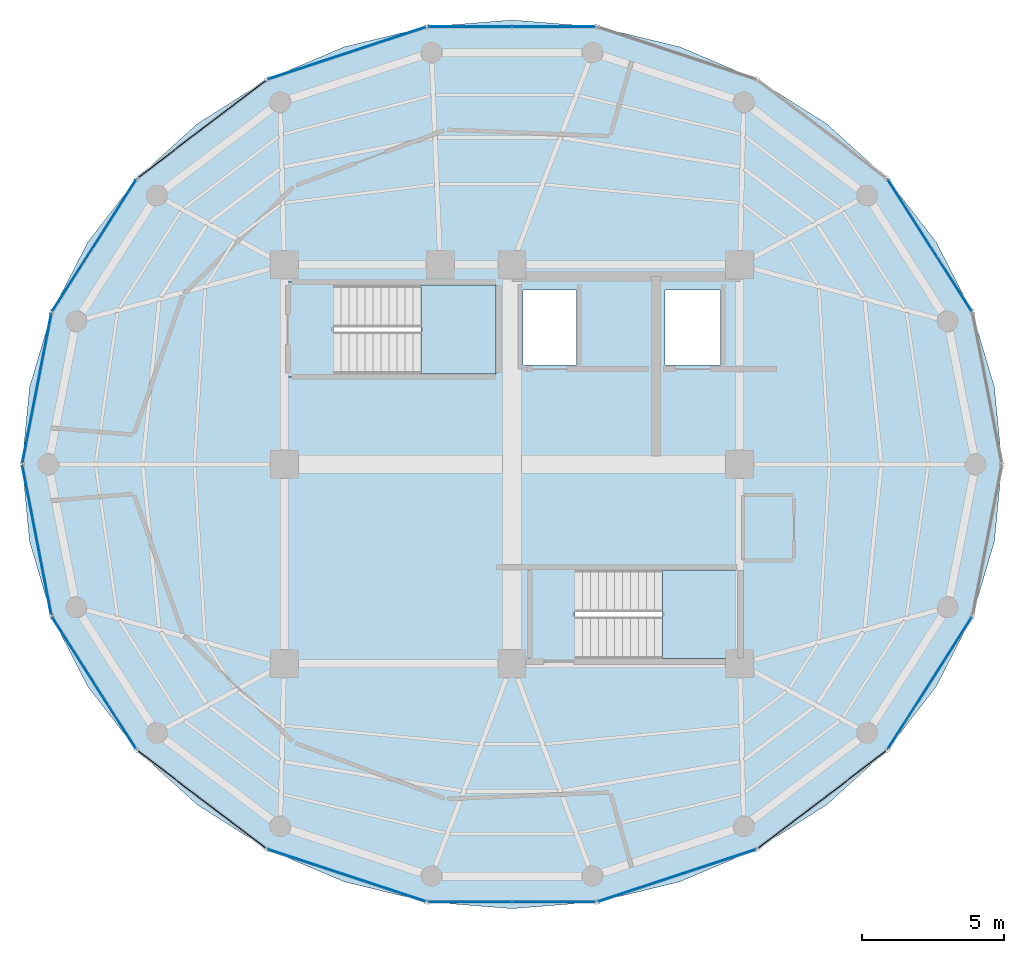
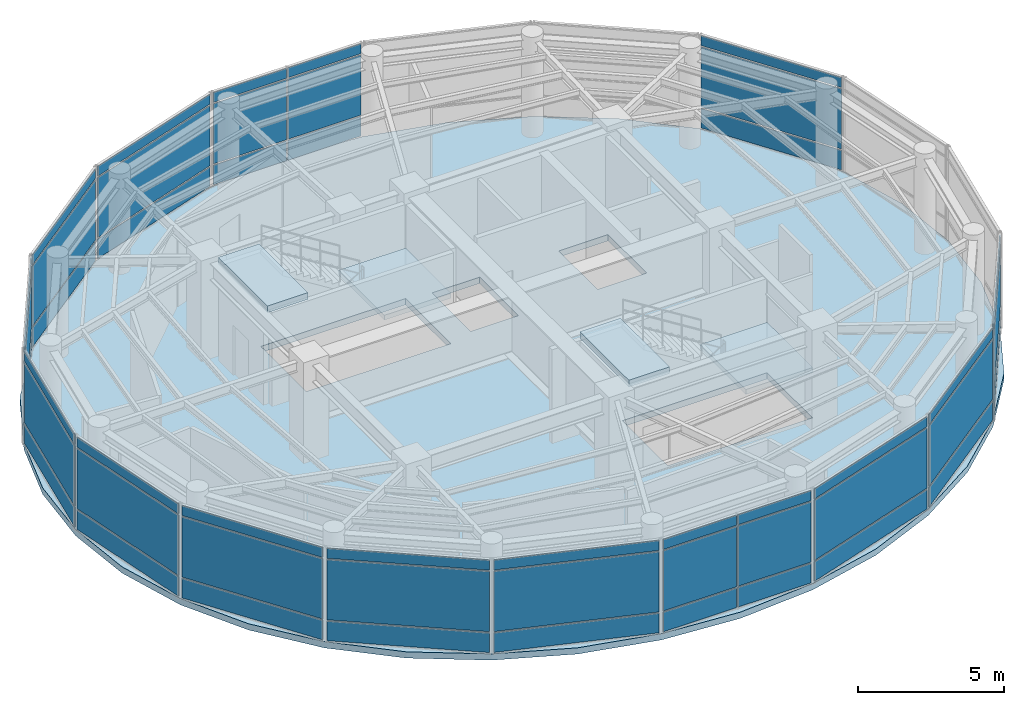
# One storey, part 16 of 19: 48 plates, 5 slabs, 16 elements without a shape of their own.
"""IFC4 building model written with IfcOpenShell, lengths in metres."""

import ifcopenshell
import ifcopenshell.guid

model = None  # the IFC model being written
_history = None  # IfcOwnerHistory: only IFC2X3 demands one
_inside = {}  # id of a spatial element -> (the spatial element, [elements in it])
_under = {}  # id of a project, library or spatial element -> (it, [spatial elements below it])
_declared = {}  # id of a project -> (the project, [libraries it declares])
_typed = {}  # id of a type object -> (the type object, [elements of that type])
_made_of = {}  # id of a material, layer set ... -> (it, [elements and type objects made of it])


def new_model(schema):
    """Start an empty IFC model of exactly this schema.

    Asked for "IFC4X3", IfcOpenShell would pick the latest addendum, in which some entities
    have other attributes; the version numbers below select the first issue.
    IFC2X3 requires an IfcOwnerHistory on every rooted entity: one is made here for all.
    """
    global model, _history
    if schema == "IFC4X3":
        model = ifcopenshell.file(schema_version=(4, 3, 0, 0))
    else:
        model = ifcopenshell.file(schema=schema)
    _inside.clear()
    _under.clear()
    _declared.clear()
    _typed.clear()
    _made_of.clear()
    _history = None
    if model.schema == "IFC2X3":
        org = make("IfcOrganization", Name="unknown")
        user = make(
            "IfcPersonAndOrganization",
            ThePerson=make("IfcPerson", FamilyName="unknown"),
            TheOrganization=org,
        )
        app = make(
            "IfcApplication",
            ApplicationDeveloper=org,
            Version="unknown",
            ApplicationFullName="unknown",
            ApplicationIdentifier="unknown",
        )
        _history = make(
            "IfcOwnerHistory",
            OwningUser=user,
            OwningApplication=app,
            ChangeAction="ADDED",
            CreationDate=0,
        )
    return model


def make(cls, **values):
    """One entity of the class cls with the attributes given. An attribute that is None is left unset."""
    return model.create_entity(
        cls, **{name: value for name, value in values.items() if value is not None}
    )


def rooted(cls, **values):
    """An entity with a GlobalId (a new one), such as an element, a storey or a relation."""
    return make(cls, GlobalId=ifcopenshell.guid.new(), OwnerHistory=_history, **values)


def si_unit(unit_type, name, prefix=None):
    """IfcSIUnit, for example si_unit("LENGTHUNIT", "METRE", prefix="MILLI")."""
    return make("IfcSIUnit", UnitType=unit_type, Prefix=prefix, Name=name)


def assignment(units):
    """IfcUnitAssignment: the units of a project."""
    return None if units is None else make("IfcUnitAssignment", Units=units)


def point(xyz):
    """IfcCartesianPoint."""
    return None if xyz is None else make("IfcCartesianPoint", Coordinates=xyz)


def direction(xyz):
    """IfcDirection."""
    return None if xyz is None else make("IfcDirection", DirectionRatios=xyz)


def frame(location, z_axis=None, x_axis=None):
    """IfcAxis2Placement3D, a coordinate frame: its origin and axes. An axis left out is left unset."""
    return make(
        "IfcAxis2Placement3D",
        Location=point(location),
        Axis=direction(z_axis),
        RefDirection=direction(x_axis),
    )


def frame_2d(location, x_axis=None):
    """IfcAxis2Placement2D, a coordinate frame in the plane: its origin and x axis."""
    return make(
        "IfcAxis2Placement2D", Location=point(location), RefDirection=direction(x_axis)
    )


def origin():
    """The frame at (0, 0, 0) with its axes left unset."""
    return frame((0.0, 0.0, 0.0))


def origin_2d():
    """The frame at (0, 0) in the plane with its x axis left unset."""
    return frame_2d((0.0, 0.0))


def place(relative_to, where):
    """IfcLocalPlacement: puts the frame where relative to a parent placement (None: the world)."""
    return make(
        "IfcLocalPlacement", PlacementRelTo=relative_to, RelativePlacement=where
    )


def context(
    kind, dimensions, precision=None, world=None, true_north=None, identifier=None
):
    """IfcGeometricRepresentationContext, for example the 3D "Model" context."""
    return make(
        "IfcGeometricRepresentationContext",
        ContextIdentifier=identifier,
        ContextType=kind,
        CoordinateSpaceDimension=dimensions,
        Precision=precision,
        WorldCoordinateSystem=world,
        TrueNorth=true_north,
    )


def subcontext(parent, identifier, kind, view, scale=None):
    """IfcGeometricRepresentationSubContext, for example "Body" below "Model"."""
    return make(
        "IfcGeometricRepresentationSubContext",
        ContextIdentifier=identifier,
        ContextType=kind,
        ParentContext=parent,
        TargetScale=scale,
        TargetView=view,
    )


def project(units=None, contexts=None):
    """IfcProject with its units and contexts."""
    return rooted(
        "IfcProject",
        Name="project",
        RepresentationContexts=contexts,
        UnitsInContext=assignment(units),
    )


def spatial(cls, under=None, at=None, **own):
    """A site, building, storey or space (cls), placed at a placement, below another one or the project."""
    s = rooted(cls, ObjectPlacement=at, **own)
    if under is not None:
        _under.setdefault(under.id(), (under, []))[1].append(s)
    return s


def polyline(points):
    """IfcPolyline through the points."""
    return make("IfcPolyline", Points=[point(p) for p in points])


def profile(cls, at=None, kind="AREA", **sizes):
    """A parametric profile (cls). Its sizes go by their IFC names, for example OverallWidth=200.0."""
    return make(cls, ProfileType=kind, Position=at, **sizes)


def rectangle(**sizes):
    """IfcRectangleProfileDef."""
    return profile("IfcRectangleProfileDef", **sizes)


def outline(outer, holes=None, kind="AREA"):
    """IfcArbitraryClosedProfileDef: a profile drawn as a closed curve; with holes, ...WithVoids."""
    if holes is None:
        return make("IfcArbitraryClosedProfileDef", ProfileType=kind, OuterCurve=outer)
    return make(
        "IfcArbitraryProfileDefWithVoids",
        ProfileType=kind,
        OuterCurve=outer,
        InnerCurves=holes,
    )


def extrude(swept, where, along, depth):
    """IfcExtrudedAreaSolid: the profile swept, set in the frame where, extruded along a direction by depth."""
    return make(
        "IfcExtrudedAreaSolid",
        SweptArea=swept,
        Position=where,
        ExtrudedDirection=direction(along),
        Depth=depth,
    )


def shape(context_of_items, identifier, shape_type, items):
    """IfcShapeRepresentation: the items that make up one representation, for example the "Body"."""
    return make(
        "IfcShapeRepresentation",
        ContextOfItems=context_of_items,
        RepresentationIdentifier=identifier,
        RepresentationType=shape_type,
        Items=items,
    )


def source(mapping_origin, context_of_items, identifier, shape_type, items):
    """IfcRepresentationMap: a shape defined once, which mapped items show again and again."""
    return make(
        "IfcRepresentationMap",
        MappingOrigin=mapping_origin,
        MappedRepresentation=shape(context_of_items, identifier, shape_type, items),
    )


def transform(
    local_origin,
    x_axis=None,
    y_axis=None,
    z_axis=None,
    scale=None,
    scale2=None,
    scale3=None,
    uniform=True,
):
    """IfcCartesianTransformationOperator3D, or its non-uniform kind. x_axis, y_axis, z_axis: its Axis1, 2, 3."""
    if uniform:
        return make(
            "IfcCartesianTransformationOperator3D",
            Axis1=direction(x_axis),
            Axis2=direction(y_axis),
            LocalOrigin=point(local_origin),
            Scale=scale,
            Axis3=direction(z_axis),
        )
    return make(
        "IfcCartesianTransformationOperator3DnonUniform",
        Axis1=direction(x_axis),
        Axis2=direction(y_axis),
        LocalOrigin=point(local_origin),
        Scale=scale,
        Axis3=direction(z_axis),
        Scale2=scale2,
        Scale3=scale3,
    )


def mapped(mapping_source, mapping_target):
    """IfcMappedItem: shows the shape of a source again, moved by a transform."""
    return make(
        "IfcMappedItem", MappingSource=mapping_source, MappingTarget=mapping_target
    )


def material(Name=None, Category=None):
    """IfcMaterial."""
    return make("IfcMaterial", Name=Name, Category=Category)


def layer(
    of_material, thickness, ventilated=None, Name=None, Category=None, Priority=None
):
    """IfcMaterialLayer: one layer of a wall or slab, of a material (None: an air gap)."""
    return make(
        "IfcMaterialLayer",
        Material=of_material,
        LayerThickness=thickness,
        IsVentilated=ventilated,
        Name=Name,
        Category=Category,
        Priority=Priority,
    )


def layer_set(layers, Name=None):
    """IfcMaterialLayerSet."""
    return make("IfcMaterialLayerSet", MaterialLayers=layers, LayerSetName=Name)


def made_of(thing, what):
    """Note that an element or type object is made of a material, layer set ...; save() writes the relation."""
    if what is not None:
        _made_of.setdefault(what.id(), (what, []))[1].append(thing)
    return thing


def type_object(cls, material=None, **own):
    """A type object (cls), such as IfcWallType, which elements share."""
    return made_of(rooted(cls, **own), material)


def element(
    cls,
    number,
    at=None,
    inside=None,
    cuts=None,
    type_object=None,
    material=None,
    context=None,
    identifier="Body",
    shape_type=None,
    held_by="IfcProductDefinitionShape",
    body=None,
    shapes=None,
    **own,
):
    """One element of the class cls, such as IfcWall. Its Tag is "e" and its number.

    at: its placement. inside: the storey or other place that contains it. cuts: it is an
    opening in that element (IfcRelVoidsElement). A single representation is given by context,
    identifier, shape_type and body (its items); several are given by shapes. held_by: the class
    of the entity that holds the representations. save() writes the other relations.
    """
    e = rooted(cls, Tag="e%d" % number, ObjectPlacement=at, **own)
    if body is not None:
        shapes = [shape(context, identifier, shape_type, body)]
    if shapes is not None:
        e.Representation = make(held_by, Representations=shapes)
    if inside is not None:
        _inside.setdefault(inside.id(), (inside, []))[1].append(e)
    if cuts is not None:
        rooted(
            "IfcRelVoidsElement", RelatingBuildingElement=cuts, RelatedOpeningElement=e
        )
    if type_object is not None:
        _typed.setdefault(type_object.id(), (type_object, []))[1].append(e)
    return made_of(e, material)


def aggregate(whole, parts):
    """IfcRelAggregates: a whole, such as a stair, and the parts it consists of."""
    return rooted("IfcRelAggregates", RelatingObject=whole, RelatedObjects=parts)


def save(model, path):
    """Write the relations noted so far, then the file.

    IfcRelAggregates (storeys below a building ...), IfcRelContainedInSpatialStructure (elements
    in a storey), IfcRelDefinesByType, IfcRelAssociatesMaterial and IfcRelDeclares: one each for
    every whole, place, type object, material and project.
    """
    for whole, parts in _under.values():
        aggregate(whole, parts)
    for where, things in _inside.values():
        rooted(
            "IfcRelContainedInSpatialStructure",
            RelatedElements=things,
            RelatingStructure=where,
        )
    for kind, things in _typed.values():
        rooted("IfcRelDefinesByType", RelatedObjects=things, RelatingType=kind)
    for what, things in _made_of.values():
        rooted("IfcRelAssociatesMaterial", RelatedObjects=things, RelatingMaterial=what)
    for by, libraries in _declared.values():
        rooted("IfcRelDeclares", RelatingContext=by, RelatedDefinitions=libraries)
    model.write(path)


model = new_model("IFC4")

# Units and contexts
model_context = context("Model", 3, precision=1e-05, world=origin(), true_north=direction((0.0, 1.0)))
body_context = subcontext(model_context, "Body", "Model", "MODEL_VIEW")
ifc_project = project(units=[si_unit("LENGTHUNIT", "METRE"), si_unit("AREAUNIT", "SQUARE_METRE"), si_unit("VOLUMEUNIT", "CUBIC_METRE"), si_unit("PLANEANGLEUNIT", "RADIAN"), si_unit("MASSUNIT", "GRAM", prefix="KILO")], contexts=[model_context])

# Site, building, storey
site_placement = place(None, origin())
site = spatial("IfcSite", under=ifc_project, at=site_placement, CompositionType="ELEMENT")
building_placement = place(site_placement, origin())
building = spatial("IfcBuilding", under=site, at=building_placement, Name="Kelanora Arch Commons", CompositionType="ELEMENT")
storey_placement = place(building_placement, frame((0.0, 0.0, 306.89990234375)))
storey = spatial("IfcBuildingStorey", under=building, at=storey_placement, Name="L78", CompositionType="ELEMENT", Elevation=306.89990234375)

# Stair, slab
ifc_material_1 = material(Name="Concrete C40/50", Category="concrete")
stair_type = type_object("IfcStairType", Name="STR-DL-420", PredefinedType="HALF_TURN_STAIR", material=ifc_material_1)
stair_1_placement = place(storey_placement, origin())
stair_1 = element("IfcStair", 1, at=stair_1_placement, inside=storey, type_object=stair_type, Name="L78 ST-T1", PredefinedType="HALF_TURN_STAIR")
ifc_layer_1 = layer(ifc_material_1, 0.199951171875)
ifc_layer_set_1 = layer_set([ifc_layer_1], Name="Concrete C40/50")
slab_type_1 = type_object("IfcSlabType", Name="SLB-STAIR-LND", PredefinedType="LANDING", material=ifc_layer_set_1)
slab_1_placement = place(storey_placement, frame((0.0, 0.0, 1.900146484375)))
slab_1 = element("IfcSlab", 2, at=slab_1_placement, type_object=slab_type_1, Name="ST-T1 landing 1", PredefinedType="LANDING", context=body_context, shape_type="SweptSolid", body=[
    extrude(outline(polyline([(70.800048828125, 61.179931640625), (73.43994140625, 61.179931640625), (73.43994140625, 64.2900390625), (70.800048828125, 64.2900390625), (70.800048828125, 61.179931640625)])), origin(), (0.0, 0.0, 1.0), 0.199951171875),
])

stair_2_placement = place(storey_placement, origin())
stair_2 = element("IfcStair", 3, at=stair_2_placement, inside=storey, type_object=stair_type, Name="L78 ST-T2", PredefinedType="HALF_TURN_STAIR")
slab_2_placement = place(storey_placement, frame((0.0, 0.0, 1.900146484375)))
slab_2 = element("IfcSlab", 4, at=slab_2_placement, type_object=slab_type_1, Name="ST-T2 landing 1", PredefinedType="LANDING", context=body_context, shape_type="SweptSolid", body=[
    extrude(outline(polyline([(79.280029296875, 51.179931640625), (81.919921875, 51.179931640625), (81.919921875, 54.2900390625), (79.280029296875, 54.2900390625), (79.280029296875, 51.179931640625)])), origin(), (0.0, 0.0, 1.0), 0.199951171875),
])

# Slab
placement = place(building_placement, frame((0.0, 0.0, 311.10009765625)))
slab_3_placement = place(placement, frame((0.0, 0.0, -0.280029296875)))
slab_3 = element("IfcSlab", 5, at=slab_3_placement, type_object=slab_type_1, Name="Stair ST-T1 Roof Arrival Landing", PredefinedType="LANDING", context=body_context, shape_type="SweptSolid", body=[
    extrude(outline(polyline([(66.1201171875, 61.06005859375), (67.72509765625, 61.06005859375), (67.72509765625, 64.409912109375), (66.1201171875, 64.409912109375), (66.1201171875, 61.06005859375)])), origin(), (0.0, 0.0, 1.0), 0.280029296875),
])

aggregate(stair_1, [slab_1, slab_3])

slab_4_placement = place(placement, frame((0.0, 0.0, -0.280029296875)))
slab_4 = element("IfcSlab", 6, at=slab_4_placement, type_object=slab_type_1, Name="Stair ST-T2 Roof Arrival Landing", PredefinedType="LANDING", context=body_context, shape_type="SweptSolid", body=[
    extrude(outline(polyline([(74.60009765625, 51.06005859375), (76.205078125, 51.06005859375), (76.205078125, 54.409912109375), (74.60009765625, 54.409912109375), (74.60009765625, 51.06005859375)])), origin(), (0.0, 0.0, 1.0), 0.280029296875),
])

aggregate(stair_2, [slab_2, slab_4])

ifc_layer_2 = layer(ifc_material_1, 0.260009765625)
ifc_layer_set_2 = layer_set([ifc_layer_2], Name="Concrete C40/50")
slab_type_2 = type_object("IfcSlabType", Name="SLB-TWR-TYP", PredefinedType="FLOOR", material=ifc_layer_set_2)
slab_5_placement = place(storey_placement, frame((0.0, 0.0, -0.260009765625)))
element("IfcSlab", 7, at=slab_5_placement, inside=storey, type_object=slab_type_2, Name="Tower Floor Slab L78", PredefinedType="FLOOR", context=body_context, shape_type="SweptSolid", body=[
    extrude(outline(polyline([(91.199951171875, 58.0), (90.938720703125, 60.708984375), (90.16259765625, 63.33544921875), (88.8955078125, 65.800048828125), (87.176025390625, 68.027587890625), (85.055908203125, 69.9501953125), (82.60009765625, 71.510009765625), (79.8828125, 72.6591796875), (76.98681640625, 73.363037109375), (74.0, 73.60009765625), (71.01318359375, 73.363037109375), (68.1171875, 72.6591796875), (65.39990234375, 71.510009765625), (62.944091796875, 69.9501953125), (60.823974609375, 68.027587890625), (59.1044921875, 65.800048828125), (57.83740234375, 63.33544921875), (57.061279296875, 60.708984375), (56.800048828125, 58.0), (57.061279296875, 55.291015625), (57.83740234375, 52.66455078125), (59.1044921875, 50.199951171875), (60.823974609375, 47.972412109375), (62.944091796875, 46.0498046875), (65.39990234375, 44.489990234375), (68.1171875, 43.3408203125), (71.01318359375, 42.636962890625), (74.0, 42.39990234375), (76.98681640625, 42.636962890625), (79.8828125, 43.3408203125), (82.60009765625, 44.489990234375), (85.055908203125, 46.0498046875), (87.176025390625, 47.972412109375), (88.8955078125, 50.199951171875), (90.16259765625, 52.66455078125), (90.938720703125, 55.291015625), (91.199951171875, 58.0)]), holes=[polyline([(81.912109375, 51.18798828125), (76.2080078125, 51.18798828125), (76.2080078125, 54.281982421875), (81.912109375, 54.281982421875), (81.912109375, 51.18798828125)]), polyline([(73.431884765625, 61.18798828125), (67.72802734375, 61.18798828125), (67.72802734375, 64.281982421875), (73.431884765625, 64.281982421875), (73.431884765625, 61.18798828125)]), polyline([(76.260009765625, 61.47998046875), (74.3798828125, 61.47998046875), (74.3798828125, 64.1201171875), (76.260009765625, 64.1201171875), (76.260009765625, 61.47998046875)]), polyline([(81.320068359375, 61.47998046875), (79.3798828125, 61.47998046875), (79.3798828125, 64.1201171875), (81.320068359375, 64.1201171875), (81.320068359375, 61.47998046875)])]), origin(), (0.0, 0.0, 1.0), 0.260009765625),
])

# Curtain wall, plate
ifc_material_2 = material(Name="Terracotta ceramic-fritted low-E glass and aluminium", Category="masonry")
ifc_layer_3 = layer(ifc_material_2, 0.14990234375)
ifc_layer_set_3 = layer_set([ifc_layer_3], Name="Terracotta ceramic-fritted low-E glass and aluminium")
curtain_wall_type = type_object("IfcCurtainWallType", Name="CW-SYS-06", PredefinedType="NOTDEFINED", material=ifc_layer_set_3)
curtain_wall_1_placement = place(storey_placement, origin())
curtain_wall_1 = element("IfcCurtainWall", 8, at=curtain_wall_1_placement, inside=storey, type_object=curtain_wall_type, Name="Unitised Curtain Wall L78-B08", PredefinedType="NOTDEFINED")
ifc_material_3 = material(Name="Terracotta ceramic-fritted double glazing", Category="masonry")
ifc_layer_4 = layer(ifc_material_3, 0.028076171875)
ifc_layer_set_4 = layer_set([ifc_layer_4], Name="Terracotta ceramic-fritted double glazing")
plate_type = type_object("IfcPlateType", Name="CWP-FRIT", PredefinedType="CURTAIN_PANEL", material=ifc_layer_set_4)
shared_shape_1 = source(origin(), body_context, "Body", "SweptSolid", [
    extrude(rectangle(XDim=5.285400390625, YDim=0.028076171875, at=origin_2d()), origin(), (0.0, 0.0, 1.0), 0.81005859375),
])
plate_1_placement = place(storey_placement, frame((57.318603515625, 60.667724609375, 0.06005859375), z_axis=(0.0, 0.0, 1.0), x_axis=(-0.190826579571, -0.981623765263, 0.0)))
plate_1 = element("IfcPlate", 9, at=plate_1_placement, type_object=plate_type, Name="CW-06 panel 1.1", PredefinedType="CURTAIN_PANEL", context=body_context, shape_type="MappedRepresentation", body=[
    mapped(shared_shape_1, transform((0.0, 0.0, 0.0), scale=1.0)),
])

curtain_wall_2_placement = place(storey_placement, origin())
curtain_wall_2 = element("IfcCurtainWall", 10, at=curtain_wall_2_placement, inside=storey, type_object=curtain_wall_type, Name="Unitised Curtain Wall L78-B09", PredefinedType="NOTDEFINED")
plate_2_placement = place(storey_placement, frame((57.318603515625, 55.332275390625, 0.06005859375), z_axis=(0.0, 0.0, 1.0), x_axis=(0.190826579571, -0.981623765263, 0.0)))
plate_2 = element("IfcPlate", 11, at=plate_2_placement, type_object=plate_type, Name="CW-06 panel 1.1", PredefinedType="CURTAIN_PANEL", context=body_context, shape_type="MappedRepresentation", body=[
    mapped(shared_shape_1, transform((0.0, 0.0, 0.0), scale=1.0)),
])

# Plate
shared_shape_2 = source(origin(), body_context, "Body", "SweptSolid", [
    extrude(rectangle(XDim=5.285400390625, YDim=0.028076171875, at=origin_2d()), origin(), (0.0, 0.0, 1.0), 0.409912109375),
])
plate_3_placement = place(storey_placement, frame((57.318603515625, 60.667724609375, 3.4951171875), z_axis=(0.0, 0.0, 1.0), x_axis=(-0.190826579571, -0.981623765263, 0.0)))
plate_3 = element("IfcPlate", 12, at=plate_3_placement, type_object=plate_type, Name="CW-06 panel 1.3", PredefinedType="CURTAIN_PANEL", context=body_context, shape_type="MappedRepresentation", body=[
    mapped(shared_shape_2, transform((0.0, 0.0, 0.0), scale=1.0)),
])

plate_4_placement = place(storey_placement, frame((57.318603515625, 55.332275390625, 3.4951171875), z_axis=(0.0, 0.0, 1.0), x_axis=(0.190826579571, -0.981623765263, 0.0)))
plate_4 = element("IfcPlate", 13, at=plate_4_placement, type_object=plate_type, Name="CW-06 panel 1.3", PredefinedType="CURTAIN_PANEL", context=body_context, shape_type="MappedRepresentation", body=[
    mapped(shared_shape_2, transform((0.0, 0.0, 0.0), scale=1.0)),
])

# Curtain wall, plate
curtain_wall_3_placement = place(storey_placement, origin())
curtain_wall_3 = element("IfcCurtainWall", 14, at=curtain_wall_3_placement, inside=storey, type_object=curtain_wall_type, Name="Unitised Curtain Wall L78-B01", PredefinedType="NOTDEFINED")
shared_shape_3 = source(origin(), body_context, "Body", "SweptSolid", [
    extrude(rectangle(XDim=5.411865234375, YDim=0.028076171875, at=origin_2d()), origin(), (0.0, 0.0, 1.0), 0.81005859375),
])
plate_5_placement = place(storey_placement, frame((88.66943359375, 65.681396484375, 0.06005859375), z_axis=(0.0, 0.0, 1.0), x_axis=(-0.536984270154, 0.84359225554, 0.0)))
plate_5 = element("IfcPlate", 15, at=plate_5_placement, type_object=plate_type, Name="CW-06 panel 1.1", PredefinedType="CURTAIN_PANEL", context=body_context, shape_type="MappedRepresentation", body=[
    mapped(shared_shape_3, transform((0.0, 0.0, 0.0), scale=1.0)),
])

curtain_wall_4_placement = place(storey_placement, origin())
curtain_wall_4 = element("IfcCurtainWall", 16, at=curtain_wall_4_placement, inside=storey, type_object=curtain_wall_type, Name="Unitised Curtain Wall L78-B07", PredefinedType="NOTDEFINED")
plate_6_placement = place(storey_placement, frame((59.33056640625, 65.681396484375, 0.06005859375), z_axis=(0.0, 0.0, 1.0), x_axis=(-0.536984270154, -0.84359225554, 0.0)))
plate_6 = element("IfcPlate", 17, at=plate_6_placement, type_object=plate_type, Name="CW-06 panel 1.1", PredefinedType="CURTAIN_PANEL", context=body_context, shape_type="MappedRepresentation", body=[
    mapped(shared_shape_3, transform((0.0, 0.0, 0.0), scale=1.0)),
])

curtain_wall_5_placement = place(storey_placement, origin())
curtain_wall_5 = element("IfcCurtainWall", 18, at=curtain_wall_5_placement, inside=storey, type_object=curtain_wall_type, Name="Unitised Curtain Wall L78-B10", PredefinedType="NOTDEFINED")
plate_7_placement = place(storey_placement, frame((59.33056640625, 50.318603515625, 0.06005859375), z_axis=(0.0, 0.0, 1.0), x_axis=(0.536984270154, -0.84359225554, 0.0)))
plate_7 = element("IfcPlate", 19, at=plate_7_placement, type_object=plate_type, Name="CW-06 panel 1.1", PredefinedType="CURTAIN_PANEL", context=body_context, shape_type="MappedRepresentation", body=[
    mapped(shared_shape_3, transform((0.0, 0.0, 0.0), scale=1.0)),
])

curtain_wall_6_placement = place(storey_placement, origin())
curtain_wall_6 = element("IfcCurtainWall", 20, at=curtain_wall_6_placement, inside=storey, type_object=curtain_wall_type, Name="Unitised Curtain Wall L78-B16", PredefinedType="NOTDEFINED")
plate_8_placement = place(storey_placement, frame((88.66943359375, 50.318603515625, 0.06005859375), z_axis=(0.0, 0.0, 1.0), x_axis=(0.536984270154, 0.84359225554, 0.0)))
plate_8 = element("IfcPlate", 21, at=plate_8_placement, type_object=plate_type, Name="CW-06 panel 1.1", PredefinedType="CURTAIN_PANEL", context=body_context, shape_type="MappedRepresentation", body=[
    mapped(shared_shape_3, transform((0.0, 0.0, 0.0), scale=1.0)),
])

# Plate
shared_shape_4 = source(origin(), body_context, "Body", "SweptSolid", [
    extrude(rectangle(XDim=5.411865234375, YDim=0.028076171875, at=origin_2d()), origin(), (0.0, 0.0, 1.0), 0.409912109375),
])
plate_9_placement = place(storey_placement, frame((88.66943359375, 65.681396484375, 3.4951171875), z_axis=(0.0, 0.0, 1.0), x_axis=(-0.536984270154, 0.84359225554, 0.0)))
plate_9 = element("IfcPlate", 22, at=plate_9_placement, type_object=plate_type, Name="CW-06 panel 1.3", PredefinedType="CURTAIN_PANEL", context=body_context, shape_type="MappedRepresentation", body=[
    mapped(shared_shape_4, transform((0.0, 0.0, 0.0), scale=1.0)),
])

plate_10_placement = place(storey_placement, frame((59.33056640625, 65.681396484375, 3.4951171875), z_axis=(0.0, 0.0, 1.0), x_axis=(-0.536984270154, -0.84359225554, 0.0)))
plate_10 = element("IfcPlate", 23, at=plate_10_placement, type_object=plate_type, Name="CW-06 panel 1.3", PredefinedType="CURTAIN_PANEL", context=body_context, shape_type="MappedRepresentation", body=[
    mapped(shared_shape_4, transform((0.0, 0.0, 0.0), scale=1.0)),
])

plate_11_placement = place(storey_placement, frame((59.33056640625, 50.318603515625, 3.4951171875), z_axis=(0.0, 0.0, 1.0), x_axis=(0.536984270154, -0.84359225554, 0.0)))
plate_11 = element("IfcPlate", 24, at=plate_11_placement, type_object=plate_type, Name="CW-06 panel 1.3", PredefinedType="CURTAIN_PANEL", context=body_context, shape_type="MappedRepresentation", body=[
    mapped(shared_shape_4, transform((0.0, 0.0, 0.0), scale=1.0)),
])

plate_12_placement = place(storey_placement, frame((88.66943359375, 50.318603515625, 3.4951171875), z_axis=(0.0, 0.0, 1.0), x_axis=(0.536984270154, 0.84359225554, 0.0)))
plate_12 = element("IfcPlate", 25, at=plate_12_placement, type_object=plate_type, Name="CW-06 panel 1.3", PredefinedType="CURTAIN_PANEL", context=body_context, shape_type="MappedRepresentation", body=[
    mapped(shared_shape_4, transform((0.0, 0.0, 0.0), scale=1.0)),
])

# Curtain wall, plate
curtain_wall_7_placement = place(storey_placement, origin())
curtain_wall_7 = element("IfcCurtainWall", 26, at=curtain_wall_7_placement, inside=storey, type_object=curtain_wall_type, Name="Unitised Curtain Wall L78-B05", PredefinedType="NOTDEFINED")
shared_shape_5 = source(origin(), body_context, "Body", "SweptSolid", [
    extrude(rectangle(XDim=5.76123046875, YDim=0.028076171875, at=origin_2d()), origin(), (0.0, 0.0, 1.0), 0.81005859375),
])
plate_13_placement = place(storey_placement, frame((68.20654296875, 72.4365234375, 0.06005859375), z_axis=(0.0, 0.0, 1.0), x_axis=(-0.949599145368, -0.313466845323, 0.0)))
plate_13 = element("IfcPlate", 27, at=plate_13_placement, type_object=plate_type, Name="CW-06 panel 1.1", PredefinedType="CURTAIN_PANEL", context=body_context, shape_type="MappedRepresentation", body=[
    mapped(shared_shape_5, transform((0.0, 0.0, 0.0), scale=1.0)),
])

curtain_wall_8_placement = place(storey_placement, origin())
curtain_wall_8 = element("IfcCurtainWall", 28, at=curtain_wall_8_placement, inside=storey, type_object=curtain_wall_type, Name="Unitised Curtain Wall L78-B12", PredefinedType="NOTDEFINED")
plate_14_placement = place(storey_placement, frame((68.20654296875, 43.5634765625, 0.06005859375), z_axis=(0.0, 0.0, 1.0), x_axis=(0.949599145368, -0.313466845323, 0.0)))
plate_14 = element("IfcPlate", 29, at=plate_14_placement, type_object=plate_type, Name="CW-06 panel 1.1", PredefinedType="CURTAIN_PANEL", context=body_context, shape_type="MappedRepresentation", body=[
    mapped(shared_shape_5, transform((0.0, 0.0, 0.0), scale=1.0)),
])

curtain_wall_9_placement = place(storey_placement, origin())
curtain_wall_9 = element("IfcCurtainWall", 30, at=curtain_wall_9_placement, inside=storey, type_object=curtain_wall_type, Name="Unitised Curtain Wall L78-B14", PredefinedType="NOTDEFINED")
plate_15_placement = place(storey_placement, frame((79.79345703125, 43.5634765625, 0.06005859375), z_axis=(0.0, 0.0, 1.0), x_axis=(0.949599145368, 0.313466845323, 0.0)))
plate_15 = element("IfcPlate", 31, at=plate_15_placement, type_object=plate_type, Name="CW-06 panel 1.1", PredefinedType="CURTAIN_PANEL", context=body_context, shape_type="MappedRepresentation", body=[
    mapped(shared_shape_5, transform((0.0, 0.0, 0.0), scale=1.0)),
])

# Plate
shared_shape_6 = source(origin(), body_context, "Body", "SweptSolid", [
    extrude(rectangle(XDim=5.76123046875, YDim=0.028076171875, at=origin_2d()), origin(), (0.0, 0.0, 1.0), 0.409912109375),
])
plate_16_placement = place(storey_placement, frame((68.20654296875, 72.4365234375, 3.4951171875), z_axis=(0.0, 0.0, 1.0), x_axis=(-0.949599145368, -0.313466845323, 0.0)))
plate_16 = element("IfcPlate", 32, at=plate_16_placement, type_object=plate_type, Name="CW-06 panel 1.3", PredefinedType="CURTAIN_PANEL", context=body_context, shape_type="MappedRepresentation", body=[
    mapped(shared_shape_6, transform((0.0, 0.0, 0.0), scale=1.0)),
])

plate_17_placement = place(storey_placement, frame((68.20654296875, 43.5634765625, 3.4951171875), z_axis=(0.0, 0.0, 1.0), x_axis=(0.949599145368, -0.313466845323, 0.0)))
plate_17 = element("IfcPlate", 33, at=plate_17_placement, type_object=plate_type, Name="CW-06 panel 1.3", PredefinedType="CURTAIN_PANEL", context=body_context, shape_type="MappedRepresentation", body=[
    mapped(shared_shape_6, transform((0.0, 0.0, 0.0), scale=1.0)),
])

plate_18_placement = place(storey_placement, frame((79.79345703125, 43.5634765625, 3.4951171875), z_axis=(0.0, 0.0, 1.0), x_axis=(0.949599145368, 0.313466845323, 0.0)))
plate_18 = element("IfcPlate", 34, at=plate_18_placement, type_object=plate_type, Name="CW-06 panel 1.3", PredefinedType="CURTAIN_PANEL", context=body_context, shape_type="MappedRepresentation", body=[
    mapped(shared_shape_6, transform((0.0, 0.0, 0.0), scale=1.0)),
])

# Curtain wall, plates
curtain_wall_10_placement = place(storey_placement, origin())
curtain_wall_10 = element("IfcCurtainWall", 35, at=curtain_wall_10_placement, inside=storey, type_object=curtain_wall_type, Name="Unitised Curtain Wall L78-B04", PredefinedType="NOTDEFINED")
shared_shape_7 = source(origin(), body_context, "Body", "SweptSolid", [
    extrude(rectangle(XDim=2.881591796875, YDim=0.028076171875, at=origin_2d()), origin(), (0.0, 0.0, 1.0), 0.81005859375),
])
plate_19_placement = place(storey_placement, frame((75.470947265625, 73.363037109375, 0.06005859375), z_axis=(0.0, 0.0, 1.0), x_axis=(-1.0, 0.0, 0.0)))
plate_19 = element("IfcPlate", 36, at=plate_19_placement, type_object=plate_type, Name="CW-06 panel 1.1", PredefinedType="CURTAIN_PANEL", context=body_context, shape_type="MappedRepresentation", body=[
    mapped(shared_shape_7, transform((0.0, 0.0, 0.0), scale=1.0)),
])
plate_20_placement = place(storey_placement, frame((72.529052734375, 73.363037109375, 0.06005859375), z_axis=(0.0, 0.0, 1.0), x_axis=(-1.0, 0.0, 0.0)))
plate_20 = element("IfcPlate", 37, at=plate_20_placement, type_object=plate_type, Name="CW-06 panel 2.1", PredefinedType="CURTAIN_PANEL", context=body_context, shape_type="MappedRepresentation", body=[
    mapped(shared_shape_7, transform((0.0, 0.0, 0.0), scale=1.0)),
])

curtain_wall_11_placement = place(storey_placement, origin())
curtain_wall_11 = element("IfcCurtainWall", 38, at=curtain_wall_11_placement, inside=storey, type_object=curtain_wall_type, Name="Unitised Curtain Wall L78-B13", PredefinedType="NOTDEFINED")
plate_21_placement = place(storey_placement, frame((72.529052734375, 42.636962890625, 0.06005859375), z_axis=(0.0, 0.0, 1.0), x_axis=(1.0, 0.0, 0.0)))
plate_21 = element("IfcPlate", 39, at=plate_21_placement, type_object=plate_type, Name="CW-06 panel 1.1", PredefinedType="CURTAIN_PANEL", context=body_context, shape_type="MappedRepresentation", body=[
    mapped(shared_shape_7, transform((0.0, 0.0, 0.0), scale=1.0)),
])
plate_22_placement = place(storey_placement, frame((75.470947265625, 42.636962890625, 0.06005859375), z_axis=(0.0, 0.0, 1.0), x_axis=(1.0, 0.0, 0.0)))
plate_22 = element("IfcPlate", 40, at=plate_22_placement, type_object=plate_type, Name="CW-06 panel 2.1", PredefinedType="CURTAIN_PANEL", context=body_context, shape_type="MappedRepresentation", body=[
    mapped(shared_shape_7, transform((0.0, 0.0, 0.0), scale=1.0)),
])

# Plate
shared_shape_8 = source(origin(), body_context, "Body", "SweptSolid", [
    extrude(rectangle(XDim=2.881591796875, YDim=0.028076171875, at=origin_2d()), origin(), (0.0, 0.0, 1.0), 0.409912109375),
])
plate_23_placement = place(storey_placement, frame((75.470947265625, 73.363037109375, 3.4951171875), z_axis=(0.0, 0.0, 1.0), x_axis=(-1.0, 0.0, 0.0)))
plate_23 = element("IfcPlate", 41, at=plate_23_placement, type_object=plate_type, Name="CW-06 panel 1.3", PredefinedType="CURTAIN_PANEL", context=body_context, shape_type="MappedRepresentation", body=[
    mapped(shared_shape_8, transform((0.0, 0.0, 0.0), scale=1.0)),
])

plate_24_placement = place(storey_placement, frame((72.529052734375, 73.363037109375, 3.4951171875), z_axis=(0.0, 0.0, 1.0), x_axis=(-1.0, 0.0, 0.0)))
plate_24 = element("IfcPlate", 42, at=plate_24_placement, type_object=plate_type, Name="CW-06 panel 2.3", PredefinedType="CURTAIN_PANEL", context=body_context, shape_type="MappedRepresentation", body=[
    mapped(shared_shape_8, transform((0.0, 0.0, 0.0), scale=1.0)),
])

plate_25_placement = place(storey_placement, frame((72.529052734375, 42.636962890625, 3.4951171875), z_axis=(0.0, 0.0, 1.0), x_axis=(1.0, 0.0, 0.0)))
plate_25 = element("IfcPlate", 43, at=plate_25_placement, type_object=plate_type, Name="CW-06 panel 1.3", PredefinedType="CURTAIN_PANEL", context=body_context, shape_type="MappedRepresentation", body=[
    mapped(shared_shape_8, transform((0.0, 0.0, 0.0), scale=1.0)),
])

plate_26_placement = place(storey_placement, frame((75.470947265625, 42.636962890625, 3.4951171875), z_axis=(0.0, 0.0, 1.0), x_axis=(1.0, 0.0, 0.0)))
plate_26 = element("IfcPlate", 44, at=plate_26_placement, type_object=plate_type, Name="CW-06 panel 2.3", PredefinedType="CURTAIN_PANEL", context=body_context, shape_type="MappedRepresentation", body=[
    mapped(shared_shape_8, transform((0.0, 0.0, 0.0), scale=1.0)),
])

# Curtain wall, plate
curtain_wall_12_placement = place(storey_placement, origin())
curtain_wall_12 = element("IfcCurtainWall", 45, at=curtain_wall_12_placement, inside=storey, type_object=curtain_wall_type, Name="Unitised Curtain Wall L78-B06", PredefinedType="NOTDEFINED")
shared_shape_9 = source(origin(), body_context, "Body", "SweptSolid", [
    extrude(rectangle(XDim=5.6005859375, YDim=0.028076171875, at=origin_2d()), origin(), (0.0, 0.0, 1.0), 0.81005859375),
])
plate_27_placement = place(storey_placement, frame((63.112060546875, 69.768798828125, 0.06005859375), z_axis=(0.0, 0.0, 1.0), x_axis=(-0.795772286688, -0.605595960801, 0.0)))
plate_27 = element("IfcPlate", 46, at=plate_27_placement, type_object=plate_type, Name="CW-06 panel 1.1", PredefinedType="CURTAIN_PANEL", context=body_context, shape_type="MappedRepresentation", body=[
    mapped(shared_shape_9, transform((0.0, 0.0, 0.0), scale=1.0)),
])

curtain_wall_13_placement = place(storey_placement, origin())
curtain_wall_13 = element("IfcCurtainWall", 47, at=curtain_wall_13_placement, inside=storey, type_object=curtain_wall_type, Name="Unitised Curtain Wall L78-B11", PredefinedType="NOTDEFINED")
plate_28_placement = place(storey_placement, frame((63.112060546875, 46.231201171875, 0.06005859375), z_axis=(0.0, 0.0, 1.0), x_axis=(0.795772286688, -0.605595960801, 0.0)))
plate_28 = element("IfcPlate", 48, at=plate_28_placement, type_object=plate_type, Name="CW-06 panel 1.1", PredefinedType="CURTAIN_PANEL", context=body_context, shape_type="MappedRepresentation", body=[
    mapped(shared_shape_9, transform((0.0, 0.0, 0.0), scale=1.0)),
])

curtain_wall_14_placement = place(storey_placement, origin())
curtain_wall_14 = element("IfcCurtainWall", 49, at=curtain_wall_14_placement, inside=storey, type_object=curtain_wall_type, Name="Unitised Curtain Wall L78-B15", PredefinedType="NOTDEFINED")
plate_29_placement = place(storey_placement, frame((84.887939453125, 46.231201171875, 0.06005859375), z_axis=(0.0, 0.0, 1.0), x_axis=(0.795772286688, 0.605595960801, 0.0)))
plate_29 = element("IfcPlate", 50, at=plate_29_placement, type_object=plate_type, Name="CW-06 panel 1.1", PredefinedType="CURTAIN_PANEL", context=body_context, shape_type="MappedRepresentation", body=[
    mapped(shared_shape_9, transform((0.0, 0.0, 0.0), scale=1.0)),
])

# Plate
shared_shape_10 = source(origin(), body_context, "Body", "SweptSolid", [
    extrude(rectangle(XDim=5.6005859375, YDim=0.028076171875, at=origin_2d()), origin(), (0.0, 0.0, 1.0), 0.409912109375),
])
plate_30_placement = place(storey_placement, frame((63.112060546875, 69.768798828125, 3.4951171875), z_axis=(0.0, 0.0, 1.0), x_axis=(-0.795772286688, -0.605595960801, 0.0)))
plate_30 = element("IfcPlate", 51, at=plate_30_placement, type_object=plate_type, Name="CW-06 panel 1.3", PredefinedType="CURTAIN_PANEL", context=body_context, shape_type="MappedRepresentation", body=[
    mapped(shared_shape_10, transform((0.0, 0.0, 0.0), scale=1.0)),
])

plate_31_placement = place(storey_placement, frame((63.112060546875, 46.231201171875, 3.4951171875), z_axis=(0.0, 0.0, 1.0), x_axis=(0.795772286688, -0.605595960801, 0.0)))
plate_31 = element("IfcPlate", 52, at=plate_31_placement, type_object=plate_type, Name="CW-06 panel 1.3", PredefinedType="CURTAIN_PANEL", context=body_context, shape_type="MappedRepresentation", body=[
    mapped(shared_shape_10, transform((0.0, 0.0, 0.0), scale=1.0)),
])

plate_32_placement = place(storey_placement, frame((84.887939453125, 46.231201171875, 3.4951171875), z_axis=(0.0, 0.0, 1.0), x_axis=(0.795772286688, 0.605595960801, 0.0)))
plate_32 = element("IfcPlate", 53, at=plate_32_placement, type_object=plate_type, Name="CW-06 panel 1.3", PredefinedType="CURTAIN_PANEL", context=body_context, shape_type="MappedRepresentation", body=[
    mapped(shared_shape_10, transform((0.0, 0.0, 0.0), scale=1.0)),
])

shared_shape_11 = source(origin(), body_context, "Body", "SweptSolid", [
    extrude(rectangle(XDim=5.285400390625, YDim=0.028076171875, at=origin_2d()), origin(), (0.0, 0.0, 1.0), 2.5048828125),
])
plate_33_placement = place(storey_placement, frame((57.318603515625, 60.667724609375, 0.93017578125), z_axis=(0.0, 0.0, 1.0), x_axis=(-0.190826579571, -0.981623765263, 0.0)))
plate_33 = element("IfcPlate", 54, at=plate_33_placement, type_object=plate_type, Name="CW-06 panel 1.2", PredefinedType="CURTAIN_PANEL", context=body_context, shape_type="MappedRepresentation", body=[
    mapped(shared_shape_11, transform((0.0, 0.0, 0.0), scale=1.0)),
])

aggregate(curtain_wall_1, [plate_1, plate_33, plate_3])

plate_34_placement = place(storey_placement, frame((57.318603515625, 55.332275390625, 0.93017578125), z_axis=(0.0, 0.0, 1.0), x_axis=(0.190826579571, -0.981623765263, 0.0)))
plate_34 = element("IfcPlate", 55, at=plate_34_placement, type_object=plate_type, Name="CW-06 panel 1.2", PredefinedType="CURTAIN_PANEL", context=body_context, shape_type="MappedRepresentation", body=[
    mapped(shared_shape_11, transform((0.0, 0.0, 0.0), scale=1.0)),
])

aggregate(curtain_wall_2, [plate_2, plate_34, plate_4])

shared_shape_12 = source(origin(), body_context, "Body", "SweptSolid", [
    extrude(rectangle(XDim=5.411865234375, YDim=0.028076171875, at=origin_2d()), origin(), (0.0, 0.0, 1.0), 2.5048828125),
])
plate_35_placement = place(storey_placement, frame((88.66943359375, 65.681396484375, 0.93017578125), z_axis=(0.0, 0.0, 1.0), x_axis=(-0.536984270154, 0.84359225554, 0.0)))
plate_35 = element("IfcPlate", 56, at=plate_35_placement, type_object=plate_type, Name="CW-06 panel 1.2", PredefinedType="CURTAIN_PANEL", context=body_context, shape_type="MappedRepresentation", body=[
    mapped(shared_shape_12, transform((0.0, 0.0, 0.0), scale=1.0)),
])

aggregate(curtain_wall_3, [plate_5, plate_35, plate_9])

plate_36_placement = place(storey_placement, frame((59.33056640625, 65.681396484375, 0.93017578125), z_axis=(0.0, 0.0, 1.0), x_axis=(-0.536984270154, -0.84359225554, 0.0)))
plate_36 = element("IfcPlate", 57, at=plate_36_placement, type_object=plate_type, Name="CW-06 panel 1.2", PredefinedType="CURTAIN_PANEL", context=body_context, shape_type="MappedRepresentation", body=[
    mapped(shared_shape_12, transform((0.0, 0.0, 0.0), scale=1.0)),
])

aggregate(curtain_wall_4, [plate_6, plate_36, plate_10])

plate_37_placement = place(storey_placement, frame((59.33056640625, 50.318603515625, 0.93017578125), z_axis=(0.0, 0.0, 1.0), x_axis=(0.536984270154, -0.84359225554, 0.0)))
plate_37 = element("IfcPlate", 58, at=plate_37_placement, type_object=plate_type, Name="CW-06 panel 1.2", PredefinedType="CURTAIN_PANEL", context=body_context, shape_type="MappedRepresentation", body=[
    mapped(shared_shape_12, transform((0.0, 0.0, 0.0), scale=1.0)),
])

aggregate(curtain_wall_5, [plate_7, plate_37, plate_11])

plate_38_placement = place(storey_placement, frame((88.66943359375, 50.318603515625, 0.93017578125), z_axis=(0.0, 0.0, 1.0), x_axis=(0.536984270154, 0.84359225554, 0.0)))
plate_38 = element("IfcPlate", 59, at=plate_38_placement, type_object=plate_type, Name="CW-06 panel 1.2", PredefinedType="CURTAIN_PANEL", context=body_context, shape_type="MappedRepresentation", body=[
    mapped(shared_shape_12, transform((0.0, 0.0, 0.0), scale=1.0)),
])

aggregate(curtain_wall_6, [plate_8, plate_38, plate_12])

shared_shape_13 = source(origin(), body_context, "Body", "SweptSolid", [
    extrude(rectangle(XDim=5.6005859375, YDim=0.028076171875, at=origin_2d()), origin(), (0.0, 0.0, 1.0), 2.5048828125),
])
plate_39_placement = place(storey_placement, frame((63.112060546875, 69.768798828125, 0.93017578125), z_axis=(0.0, 0.0, 1.0), x_axis=(-0.795772286688, -0.605595960801, 0.0)))
plate_39 = element("IfcPlate", 60, at=plate_39_placement, type_object=plate_type, Name="CW-06 panel 1.2", PredefinedType="CURTAIN_PANEL", context=body_context, shape_type="MappedRepresentation", body=[
    mapped(shared_shape_13, transform((0.0, 0.0, 0.0), scale=1.0)),
])

aggregate(curtain_wall_12, [plate_27, plate_39, plate_30])

plate_40_placement = place(storey_placement, frame((63.112060546875, 46.231201171875, 0.93017578125), z_axis=(0.0, 0.0, 1.0), x_axis=(0.795772286688, -0.605595960801, 0.0)))
plate_40 = element("IfcPlate", 61, at=plate_40_placement, type_object=plate_type, Name="CW-06 panel 1.2", PredefinedType="CURTAIN_PANEL", context=body_context, shape_type="MappedRepresentation", body=[
    mapped(shared_shape_13, transform((0.0, 0.0, 0.0), scale=1.0)),
])

aggregate(curtain_wall_13, [plate_28, plate_40, plate_31])

plate_41_placement = place(storey_placement, frame((84.887939453125, 46.231201171875, 0.93017578125), z_axis=(0.0, 0.0, 1.0), x_axis=(0.795772286688, 0.605595960801, 0.0)))
plate_41 = element("IfcPlate", 62, at=plate_41_placement, type_object=plate_type, Name="CW-06 panel 1.2", PredefinedType="CURTAIN_PANEL", context=body_context, shape_type="MappedRepresentation", body=[
    mapped(shared_shape_13, transform((0.0, 0.0, 0.0), scale=1.0)),
])

aggregate(curtain_wall_14, [plate_29, plate_41, plate_32])

shared_shape_14 = source(origin(), body_context, "Body", "SweptSolid", [
    extrude(rectangle(XDim=5.76123046875, YDim=0.028076171875, at=origin_2d()), origin(), (0.0, 0.0, 1.0), 2.5048828125),
])
plate_42_placement = place(storey_placement, frame((68.20654296875, 72.4365234375, 0.93017578125), z_axis=(0.0, 0.0, 1.0), x_axis=(-0.949599145368, -0.313466845323, 0.0)))
plate_42 = element("IfcPlate", 63, at=plate_42_placement, type_object=plate_type, Name="CW-06 panel 1.2", PredefinedType="CURTAIN_PANEL", context=body_context, shape_type="MappedRepresentation", body=[
    mapped(shared_shape_14, transform((0.0, 0.0, 0.0), scale=1.0)),
])

aggregate(curtain_wall_7, [plate_13, plate_42, plate_16])

plate_43_placement = place(storey_placement, frame((68.20654296875, 43.5634765625, 0.93017578125), z_axis=(0.0, 0.0, 1.0), x_axis=(0.949599145368, -0.313466845323, 0.0)))
plate_43 = element("IfcPlate", 64, at=plate_43_placement, type_object=plate_type, Name="CW-06 panel 1.2", PredefinedType="CURTAIN_PANEL", context=body_context, shape_type="MappedRepresentation", body=[
    mapped(shared_shape_14, transform((0.0, 0.0, 0.0), scale=1.0)),
])

aggregate(curtain_wall_8, [plate_14, plate_43, plate_17])

plate_44_placement = place(storey_placement, frame((79.79345703125, 43.5634765625, 0.93017578125), z_axis=(0.0, 0.0, 1.0), x_axis=(0.949599145368, 0.313466845323, 0.0)))
plate_44 = element("IfcPlate", 65, at=plate_44_placement, type_object=plate_type, Name="CW-06 panel 1.2", PredefinedType="CURTAIN_PANEL", context=body_context, shape_type="MappedRepresentation", body=[
    mapped(shared_shape_14, transform((0.0, 0.0, 0.0), scale=1.0)),
])

aggregate(curtain_wall_9, [plate_15, plate_44, plate_18])

shared_shape_15 = source(origin(), body_context, "Body", "SweptSolid", [
    extrude(rectangle(XDim=2.881591796875, YDim=0.028076171875, at=origin_2d()), origin(), (0.0, 0.0, 1.0), 2.5048828125),
])
plate_45_placement = place(storey_placement, frame((75.470947265625, 73.363037109375, 0.93017578125), z_axis=(0.0, 0.0, 1.0), x_axis=(-1.0, 0.0, 0.0)))
plate_45 = element("IfcPlate", 66, at=plate_45_placement, type_object=plate_type, Name="CW-06 panel 1.2", PredefinedType="CURTAIN_PANEL", context=body_context, shape_type="MappedRepresentation", body=[
    mapped(shared_shape_15, transform((0.0, 0.0, 0.0), scale=1.0)),
])

plate_46_placement = place(storey_placement, frame((72.529052734375, 73.363037109375, 0.93017578125), z_axis=(0.0, 0.0, 1.0), x_axis=(-1.0, 0.0, 0.0)))
plate_46 = element("IfcPlate", 67, at=plate_46_placement, type_object=plate_type, Name="CW-06 panel 2.2", PredefinedType="CURTAIN_PANEL", context=body_context, shape_type="MappedRepresentation", body=[
    mapped(shared_shape_15, transform((0.0, 0.0, 0.0), scale=1.0)),
])

aggregate(curtain_wall_10, [plate_19, plate_45, plate_23, plate_20, plate_46, plate_24])

plate_47_placement = place(storey_placement, frame((72.529052734375, 42.636962890625, 0.93017578125), z_axis=(0.0, 0.0, 1.0), x_axis=(1.0, 0.0, 0.0)))
plate_47 = element("IfcPlate", 68, at=plate_47_placement, type_object=plate_type, Name="CW-06 panel 1.2", PredefinedType="CURTAIN_PANEL", context=body_context, shape_type="MappedRepresentation", body=[
    mapped(shared_shape_15, transform((0.0, 0.0, 0.0), scale=1.0)),
])

plate_48_placement = place(storey_placement, frame((75.470947265625, 42.636962890625, 0.93017578125), z_axis=(0.0, 0.0, 1.0), x_axis=(1.0, 0.0, 0.0)))
plate_48 = element("IfcPlate", 69, at=plate_48_placement, type_object=plate_type, Name="CW-06 panel 2.2", PredefinedType="CURTAIN_PANEL", context=body_context, shape_type="MappedRepresentation", body=[
    mapped(shared_shape_15, transform((0.0, 0.0, 0.0), scale=1.0)),
])

aggregate(curtain_wall_11, [plate_21, plate_47, plate_25, plate_22, plate_48, plate_26])

save(model, "model.ifc")
